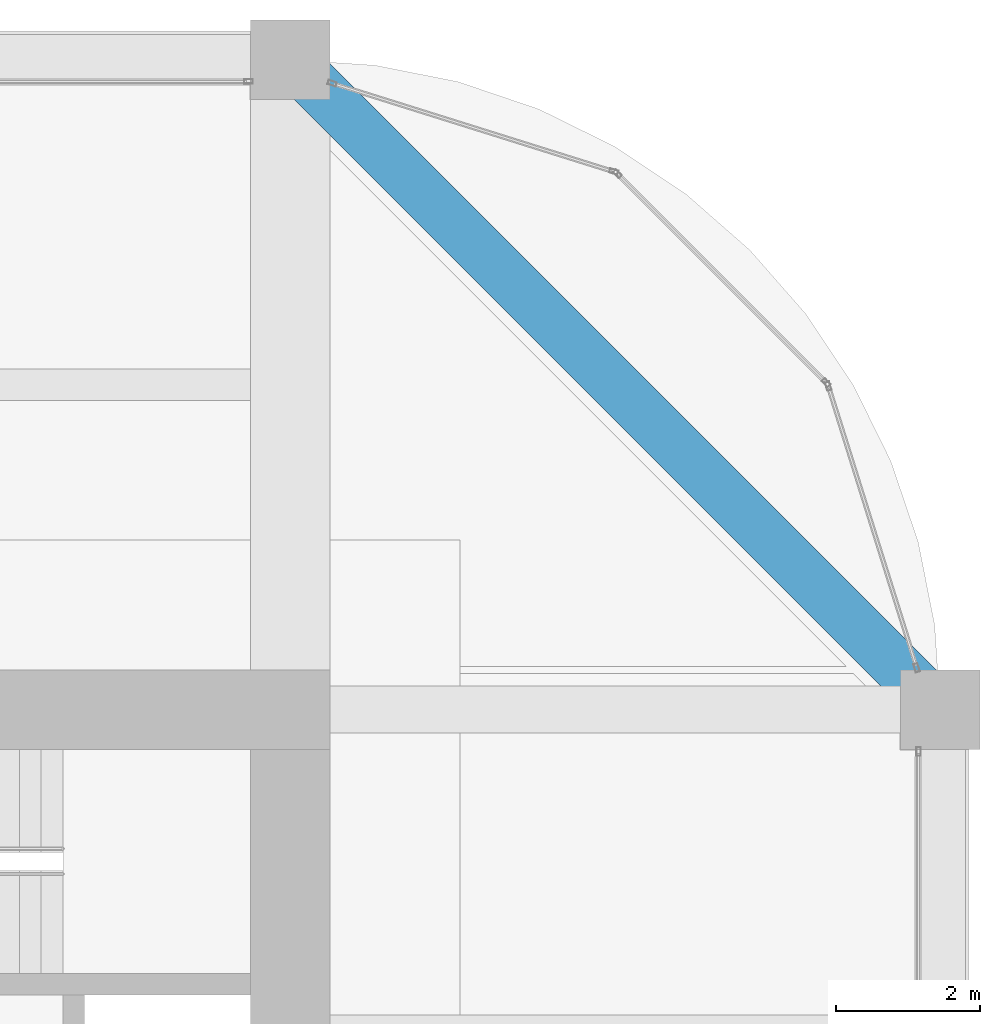
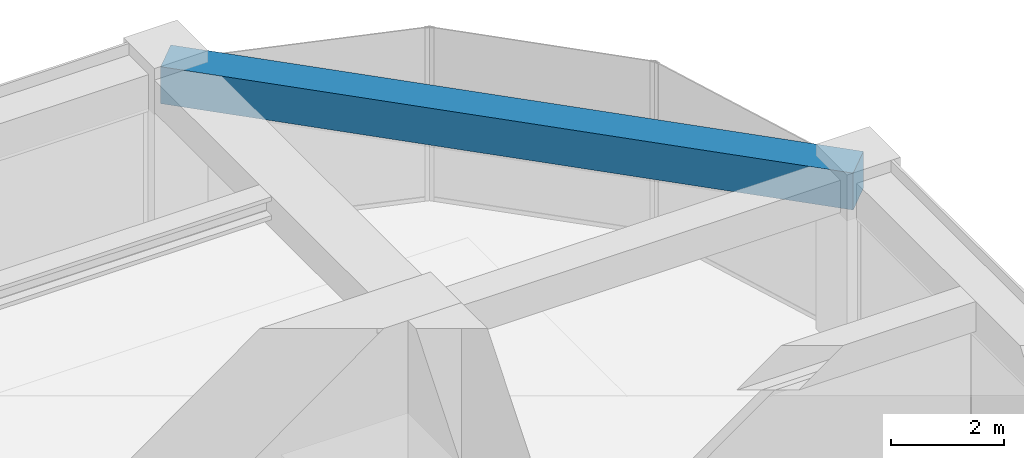
# One storey, part 38 of 44: 1 beam.
"""IFC4 building model written with IfcOpenShell, lengths in metres."""

from ifc_helpers import new_model, si_unit, direction, frame, origin, origin_2d, place, context, subcontext, project, spatial, rectangle, extrude, material, material_profile, profile_set, type_object, element, save


model = new_model("IFC4")

# Units and contexts
model_context = context("Model", 3, precision=1e-05, world=origin(), true_north=direction((0.0, 1.0)))
body_context = subcontext(model_context, "Body", "Model", "MODEL_VIEW")
ifc_project = project(units=[si_unit("LENGTHUNIT", "METRE"), si_unit("AREAUNIT", "SQUARE_METRE"), si_unit("VOLUMEUNIT", "CUBIC_METRE"), si_unit("PLANEANGLEUNIT", "RADIAN"), si_unit("MASSUNIT", "GRAM", prefix="KILO")], contexts=[model_context])

# Site, building, storey
site_placement = place(None, origin())
site = spatial("IfcSite", under=ifc_project, at=site_placement, CompositionType="ELEMENT")
building_placement = place(site_placement, origin())
building = spatial("IfcBuilding", under=site, at=building_placement, Name="Zorevar Civic Tower", CompositionType="ELEMENT")
storey_placement = place(building_placement, frame((0.0, 0.0, 287.39990234375)))
storey = spatial("IfcBuildingStorey", under=building, at=storey_placement, Name="L70", CompositionType="ELEMENT", Elevation=287.39990234375)

# Beam
ifc_material = material(Name="Concrete C50/60", Category="concrete")
ifc_material_profile = material_profile(ifc_material, rectangle(XDim=0.699951171875, YDim=0.800048828125, at=origin_2d()), Name="RC 700x800")
ifc_profile_set = profile_set([ifc_material_profile], Name="Concrete C50/60")
beam_type = type_object("IfcBeamType", Name="Edge beam RC 700x800", PredefinedType="SPANDREL", material=ifc_profile_set)
beam_placement = place(storey_placement, frame((54.0, 36.0, 3.35009765625), z_axis=(-0.707106781187, 0.707106781187, 0.0), x_axis=(-0.707106781187, -0.707106781187, 0.0)))
element("IfcBeam", 1, at=beam_placement, inside=storey, type_object=beam_type, Name="Corner edge beam L71", PredefinedType="SPANDREL", context=body_context, shape_type="SweptSolid", body=[
    extrude(rectangle(XDim=0.699951171875, YDim=0.800048828125, at=origin_2d()), origin(), (0.0, 0.0, 1.0), 12.72802734375),
])

save(model, "model.ifc")
